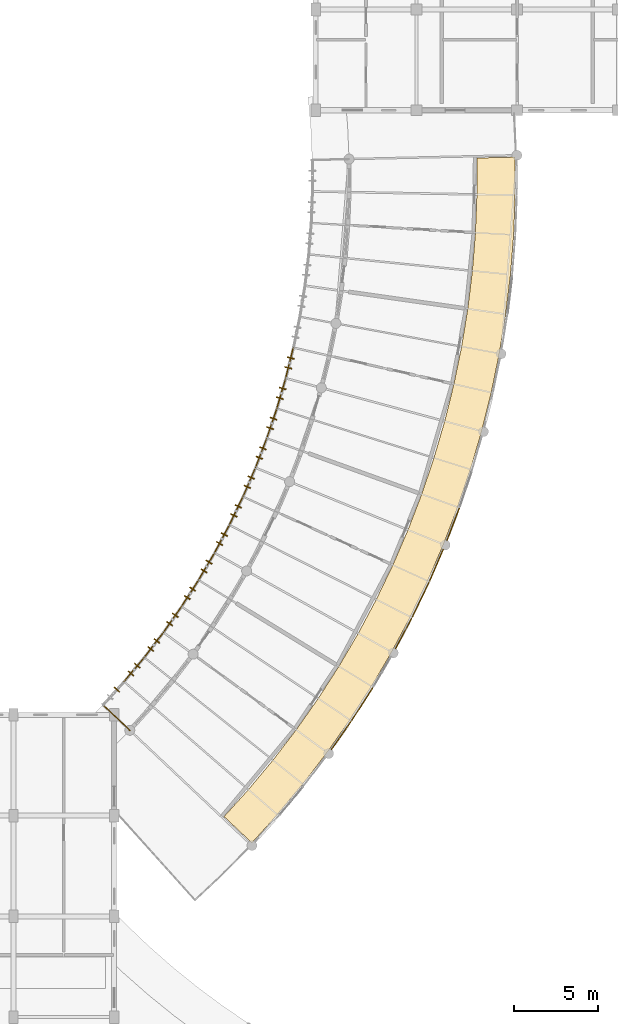
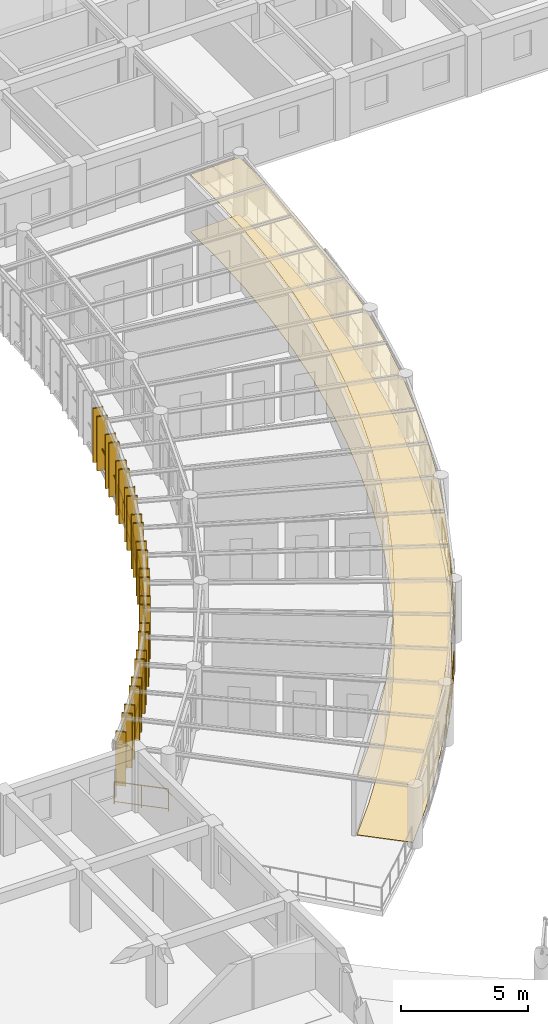
# One storey, part 90 of 100: 25 shading devices, 19 railings, 2 coverings.
"""IFC4 building model written with IfcOpenShell, lengths in metres."""

from ifc_helpers import new_model, si_unit, direction, frame, origin, origin_2d, place, context, subcontext, project, spatial, polyline, rectangle, circle, outline, extrude, material, layer, layer_set, type_object, element, save


model = new_model("IFC4")

# Units and contexts
model_context = context("Model", 3, precision=1e-05, world=origin(), true_north=direction((0.0, 1.0)))
body_context = subcontext(model_context, "Body", "Model", "MODEL_VIEW")
ifc_project = project(units=[si_unit("LENGTHUNIT", "METRE"), si_unit("AREAUNIT", "SQUARE_METRE"), si_unit("VOLUMEUNIT", "CUBIC_METRE"), si_unit("PLANEANGLEUNIT", "RADIAN"), si_unit("MASSUNIT", "GRAM", prefix="KILO"), si_unit("POWERUNIT", "WATT"), si_unit("THERMODYNAMICTEMPERATUREUNIT", "KELVIN")], contexts=[model_context])

# Site, building, storey
site_placement = place(None, origin())
site = spatial("IfcSite", under=ifc_project, at=site_placement, CompositionType="ELEMENT")
building_placement = place(site_placement, origin())
building = spatial("IfcBuilding", under=site, at=building_placement, Name="Ruvembo Vaulted Housing Court", CompositionType="ELEMENT")
storey_placement = place(building_placement, frame((0.0, 0.0, 14.10009765625)))
storey = spatial("IfcBuildingStorey", under=building, at=storey_placement, Name="L04", CompositionType="ELEMENT", Elevation=14.10009765625)

# Coverings
ifc_material_1 = material(Name="Perforated Mineral-Fibre Acoustic Tile", Category="gypsum")
ifc_layer_1 = layer(ifc_material_1, 0.02001953125, Name="Perforated Mineral-Fibre Acoustic Tile")
ifc_layer_set_1 = layer_set([ifc_layer_1], Name="Perforated Mineral-Fibre Acoustic Tile")
covering_type_1 = type_object("IfcCoveringType", Name="COV-CEIL-ACOUST", PredefinedType="CEILING", material=ifc_layer_set_1)
covering_1_placement = place(storey_placement, frame((0.0, 0.0, 2.75)))
element("IfcCovering", 1, at=covering_1_placement, inside=storey, type_object=covering_type_1, Name="Scoop SC1 L04 Shaded Access Gallery Ceiling", PredefinedType="CEILING", context=body_context, shape_type="SweptSolid", body=[
    extrude(outline(polyline([(44.201416015625, 34.37646484375), (45.718994140625, 36.053955078125), (47.23681640625, 37.876708984375), (48.6787109375, 39.76025390625), (50.0419921875, 41.701171875), (51.324951171875, 43.6962890625), (52.52490234375, 45.742431640625), (53.64013671875, 47.8359375), (54.66845703125, 49.973388671875), (55.608642578125, 52.151123046875), (56.45849609375, 54.36572265625), (57.21728515625, 56.613037109375), (57.88330078125, 58.8896484375), (58.455322265625, 61.191650390625), (58.9326171875, 63.51513671875), (59.314208984375, 65.856201171875), (59.599853515625, 68.2109375), (59.78857421875, 70.575439453125), (59.88037109375, 72.94580078125), (59.875244140625, 75.207763671875), (57.595703125, 75.156005859375), (57.600830078125, 72.989501953125), (57.6005859375, 72.985107421875), (57.5126953125, 70.712646484375), (57.512451171875, 70.7080078125), (57.33154296875, 68.441162109375), (57.3310546875, 68.436767578125), (57.057373046875, 66.17919921875), (57.056640625, 66.1748046875), (56.690673828125, 63.930419921875), (56.68994140625, 63.926025390625), (56.232421875, 61.698486328125), (56.231201171875, 61.694091796875), (55.682861328125, 59.487060546875), (55.681640625, 59.482666015625), (55.043212890625, 57.300048828125), (55.041748046875, 57.2958984375), (54.314453125, 55.14111328125), (54.31298828125, 55.136962890625), (53.498046875, 53.013916015625), (53.496337890625, 53.009521484375), (52.59521484375, 50.921875), (52.59326171875, 50.917724609375), (51.607177734375, 48.868408203125), (51.605224609375, 48.864501953125), (50.535888671875, 46.857421875), (50.53369140625, 46.853515625), (49.38330078125, 44.891845703125), (49.381103515625, 44.887939453125), (48.151123046875, 42.97509765625), (48.148681640625, 42.971435546875), (46.841552734375, 41.110595703125), (46.8388671875, 41.10693359375), (45.456298828125, 39.30126953125), (45.45361328125, 39.297607421875), (43.99853515625, 37.550048828125), (43.99560546875, 37.546630859375), (42.54248046875, 35.940185546875), (44.201416015625, 34.37646484375)])), origin(), (0.0, 0.0, 1.0), 0.02001953125),
])
ifc_material_2 = material(Name="Polished Cement-Aggregate Terrazzo", Category="stone")
ifc_layer_2 = layer(ifc_material_2, 0.02197265625, Name="Polished Cement-Aggregate Terrazzo")
ifc_layer_set_2 = layer_set([ifc_layer_2], Name="Polished Cement-Aggregate Terrazzo")
covering_type_2 = type_object("IfcCoveringType", Name="COV-FLR-CERAMIC", PredefinedType="FLOORING", material=ifc_layer_set_2)
covering_2_placement = place(storey_placement, origin())
element("IfcCovering", 2, at=covering_2_placement, inside=storey, type_object=covering_type_2, Name="Scoop SC1 L04 Shaded Access Gallery Flooring", PredefinedType="FLOORING", context=body_context, shape_type="SweptSolid", body=[
    extrude(outline(polyline([(44.201416015625, 34.37646484375), (45.718994140625, 36.053955078125), (47.23681640625, 37.876708984375), (48.6787109375, 39.76025390625), (50.0419921875, 41.701171875), (51.324951171875, 43.6962890625), (52.52490234375, 45.742431640625), (53.64013671875, 47.8359375), (54.66845703125, 49.973388671875), (55.608642578125, 52.151123046875), (56.45849609375, 54.36572265625), (57.21728515625, 56.613037109375), (57.88330078125, 58.8896484375), (58.455322265625, 61.191650390625), (58.9326171875, 63.51513671875), (59.314208984375, 65.856201171875), (59.599853515625, 68.2109375), (59.78857421875, 70.575439453125), (59.88037109375, 72.94580078125), (59.875244140625, 75.207763671875), (57.595703125, 75.156005859375), (57.600830078125, 72.989501953125), (57.6005859375, 72.985107421875), (57.5126953125, 70.712646484375), (57.512451171875, 70.7080078125), (57.33154296875, 68.441162109375), (57.3310546875, 68.436767578125), (57.057373046875, 66.17919921875), (57.056640625, 66.1748046875), (56.690673828125, 63.930419921875), (56.68994140625, 63.926025390625), (56.232421875, 61.698486328125), (56.231201171875, 61.694091796875), (55.682861328125, 59.487060546875), (55.681640625, 59.482666015625), (55.043212890625, 57.300048828125), (55.041748046875, 57.2958984375), (54.314453125, 55.14111328125), (54.31298828125, 55.136962890625), (53.498046875, 53.013916015625), (53.496337890625, 53.009521484375), (52.59521484375, 50.921875), (52.59326171875, 50.917724609375), (51.607177734375, 48.868408203125), (51.605224609375, 48.864501953125), (50.535888671875, 46.857421875), (50.53369140625, 46.853515625), (49.38330078125, 44.891845703125), (49.381103515625, 44.887939453125), (48.151123046875, 42.97509765625), (48.148681640625, 42.971435546875), (46.841552734375, 41.110595703125), (46.8388671875, 41.10693359375), (45.456298828125, 39.30126953125), (45.45361328125, 39.297607421875), (43.99853515625, 37.550048828125), (43.99560546875, 37.546630859375), (42.54248046875, 35.940185546875), (44.201416015625, 34.37646484375)])), origin(), (0.0, 0.0, 1.0), 0.02197265625),
])

# Railings
ifc_material_3 = material(Name="Galvanised Painted Steel and Laminated Glass", Category="steel")
ifc_layer_3 = layer(ifc_material_3, 0.070068359375, Name="Galvanised Painted Steel and Laminated Glass")
ifc_layer_set_3 = layer_set([ifc_layer_3], Name="Galvanised Painted Steel and Laminated Glass")
railing_type_1 = type_object("IfcRailingType", Name="RL-BALUST-1120", PredefinedType="BALUSTRADE", material=ifc_layer_set_3)
railing_1_placement = place(storey_placement, frame((48.939697265625, 39.940673828125, 0.0)))
element("IfcRailing", 3, at=railing_1_placement, inside=storey, type_object=railing_type_1, Name="L04 Perimeter Guard RL-EXT-L04-0147", PredefinedType="BALUSTRADE", context=body_context, shape_type="SweptSolid", body=[
    extrude(circle(Radius=0.02392578125, at=origin_2d()), frame((0.0, 0.0, 1.09619140625), z_axis=(0.574803820442, 0.818291248887, 0.0), x_axis=(-0.818291248887, 0.574803820442, 0.0)), (0.0, 0.0, 1.0), 2.0263671875),
    extrude(circle(Radius=0.01806640625, at=origin_2d()), frame((0.0, 0.0, 0.1201171875), z_axis=(0.574803820442, 0.818291248887, 0.0), x_axis=(-0.818291248887, 0.574803820442, 0.0)), (0.0, 0.0, 1.0), 2.0263671875),
    extrude(circle(Radius=0.02099609375, at=origin_2d()), origin(), (0.0, 0.0, 1.0), 1.072021484375),
    extrude(circle(Radius=0.02099609375, at=origin_2d()), frame((0.58251953125, 0.8291015625, 0.0)), (0.0, 0.0, 1.0), 1.072021484375),
    extrude(circle(Radius=0.02099609375, at=origin_2d()), frame((1.164794921875, 1.658203125, 0.0)), (0.0, 0.0, 1.0), 1.072021484375),
])
railing_2_placement = place(storey_placement, frame((50.160400390625, 41.681884765625, 0.0)))
element("IfcRailing", 4, at=railing_2_placement, inside=storey, type_object=railing_type_1, Name="L04 Perimeter Guard RL-EXT-L04-0148", PredefinedType="BALUSTRADE", context=body_context, shape_type="SweptSolid", body=[
    extrude(circle(Radius=0.02392578125, at=origin_2d()), frame((0.0, 0.0, 1.09619140625), z_axis=(0.540838894016, 0.8411262038, 0.0), x_axis=(-0.8411262038, 0.540838894016, 0.0)), (0.0, 0.0, 1.0), 2.2763671875),
    extrude(circle(Radius=0.01806640625, at=origin_2d()), frame((0.0, 0.0, 0.1201171875), z_axis=(0.540838894016, 0.8411262038, 0.0), x_axis=(-0.8411262038, 0.540838894016, 0.0)), (0.0, 0.0, 1.0), 2.2763671875),
    extrude(circle(Radius=0.02099609375, at=origin_2d()), origin(), (0.0, 0.0, 1.0), 1.072021484375),
    extrude(circle(Radius=0.02099609375, at=origin_2d()), frame((0.61572265625, 0.95751953125, 0.0)), (0.0, 0.0, 1.0), 1.072021484375),
    extrude(circle(Radius=0.02099609375, at=origin_2d()), frame((1.231201171875, 1.914794921875, 0.0)), (0.0, 0.0, 1.0), 1.072021484375),
])
railing_3_placement = place(storey_placement, frame((52.761962890625, 45.95361328125, 0.0)))
element("IfcRailing", 5, at=railing_3_placement, inside=storey, type_object=railing_type_1, Name="L04 Perimeter Guard RL-EXT-L04-0149", PredefinedType="BALUSTRADE", context=body_context, shape_type="SweptSolid", body=[
    extrude(circle(Radius=0.02392578125, at=origin_2d()), frame((0.0, 0.0, 1.09619140625), z_axis=(0.470100420007, 0.882612936178, 0.0), x_axis=(-0.882612936178, 0.470100420007, 0.0)), (0.0, 0.0, 1.0), 2.0263671875),
    extrude(circle(Radius=0.01806640625, at=origin_2d()), frame((0.0, 0.0, 0.1201171875), z_axis=(0.470100420007, 0.882612936178, 0.0), x_axis=(-0.882612936178, 0.470100420007, 0.0)), (0.0, 0.0, 1.0), 2.0263671875),
    extrude(circle(Radius=0.02099609375, at=origin_2d()), origin(), (0.0, 0.0, 1.0), 1.072021484375),
    extrude(circle(Radius=0.02099609375, at=origin_2d()), frame((0.476318359375, 0.894287109375, 0.0)), (0.0, 0.0, 1.0), 1.072021484375),
    extrude(circle(Radius=0.02099609375, at=origin_2d()), frame((0.95263671875, 1.78857421875, 0.0)), (0.0, 0.0, 1.0), 1.072021484375),
])
railing_4_placement = place(storey_placement, frame((53.760009765625, 47.831298828125, 0.0)))
element("IfcRailing", 6, at=railing_4_placement, inside=storey, type_object=railing_type_1, Name="L04 Perimeter Guard RL-EXT-L04-0150", PredefinedType="BALUSTRADE", context=body_context, shape_type="SweptSolid", body=[
    extrude(circle(Radius=0.02392578125, at=origin_2d()), frame((0.0, 0.0, 1.09619140625), z_axis=(0.433477019687, 0.90116462059, 0.0), x_axis=(-0.90116462059, 0.433477019687, 0.0)), (0.0, 0.0, 1.0), 2.276611328125),
    extrude(circle(Radius=0.01806640625, at=origin_2d()), frame((0.0, 0.0, 0.1201171875), z_axis=(0.433477019687, 0.90116462059, 0.0), x_axis=(-0.90116462059, 0.433477019687, 0.0)), (0.0, 0.0, 1.0), 2.276611328125),
    extrude(circle(Radius=0.02099609375, at=origin_2d()), origin(), (0.0, 0.0, 1.0), 1.072021484375),
    extrude(circle(Radius=0.02099609375, at=origin_2d()), frame((0.493408203125, 1.02587890625, 0.0)), (0.0, 0.0, 1.0), 1.072021484375),
    extrude(circle(Radius=0.02099609375, at=origin_2d()), frame((0.98681640625, 2.051513671875, 0.0)), (0.0, 0.0, 1.0), 1.072021484375),
])
railing_5_placement = place(storey_placement, frame((54.788330078125, 49.9736328125, 0.0)))
element("IfcRailing", 7, at=railing_5_placement, inside=storey, type_object=railing_type_1, Name="L04 Perimeter Guard RL-EXT-L04-0151", PredefinedType="BALUSTRADE", context=body_context, shape_type="SweptSolid", body=[
    extrude(circle(Radius=0.02392578125, at=origin_2d()), frame((0.0, 0.0, 1.09619140625), z_axis=(0.396346015974, 0.918101212079, 0.0), x_axis=(-0.918101212079, 0.396346015974, 0.0)), (0.0, 0.0, 1.0), 2.026611328125),
    extrude(circle(Radius=0.01806640625, at=origin_2d()), frame((0.0, 0.0, 0.1201171875), z_axis=(0.396346015974, 0.918101212079, 0.0), x_axis=(-0.918101212079, 0.396346015974, 0.0)), (0.0, 0.0, 1.0), 2.026611328125),
    extrude(circle(Radius=0.02099609375, at=origin_2d()), origin(), (0.0, 0.0, 1.0), 1.072021484375),
    extrude(circle(Radius=0.02099609375, at=origin_2d()), frame((0.401611328125, 0.93017578125, 0.0)), (0.0, 0.0, 1.0), 1.072021484375),
    extrude(circle(Radius=0.02099609375, at=origin_2d()), frame((0.80322265625, 1.860595703125, 0.0)), (0.0, 0.0, 1.0), 1.072021484375),
])
railing_6_placement = place(storey_placement, frame((55.818115234375, 52.389892578125, 0.0)))
element("IfcRailing", 8, at=railing_6_placement, inside=storey, type_object=railing_type_1, Name="L04 Perimeter Guard RL-EXT-L04-0152", PredefinedType="BALUSTRADE", context=body_context, shape_type="SweptSolid", body=[
    extrude(circle(Radius=0.02392578125, at=origin_2d()), frame((0.0, 0.0, 1.09619140625), z_axis=(0.358308891854, 0.933603094478, 0.0), x_axis=(-0.933603094478, 0.358308891854, 0.0)), (0.0, 0.0, 1.0), 2.0263671875),
    extrude(circle(Radius=0.01806640625, at=origin_2d()), frame((0.0, 0.0, 0.1201171875), z_axis=(0.358308891854, 0.933603094478, 0.0), x_axis=(-0.933603094478, 0.358308891854, 0.0)), (0.0, 0.0, 1.0), 2.0263671875),
    extrude(circle(Radius=0.02099609375, at=origin_2d()), origin(), (0.0, 0.0, 1.0), 1.072021484375),
    extrude(circle(Radius=0.02099609375, at=origin_2d()), frame((0.363037109375, 0.94580078125, 0.0)), (0.0, 0.0, 1.0), 1.072021484375),
    extrude(circle(Radius=0.02099609375, at=origin_2d()), frame((0.72607421875, 1.891845703125, 0.0)), (0.0, 0.0, 1.0), 1.072021484375),
])
ifc_material_4 = material(Name="Galvanised Painted Steel S275", Category="steel")
ifc_layer_4 = layer(ifc_material_4, 0.06005859375, Name="Galvanised Painted Steel S275")
ifc_layer_set_4 = layer_set([ifc_layer_4], Name="Galvanised Painted Steel S275")
railing_type_2 = type_object("IfcRailingType", Name="RL-GUARD-1100", PredefinedType="GUARDRAIL", material=ifc_layer_set_4)
railing_7_placement = place(storey_placement, frame((36.9306640625, 41.078125, 0.0)))
element("IfcRailing", 9, at=railing_7_placement, inside=storey, type_object=railing_type_2, Name="L04 Perimeter Guard RL-EXT-L04-0124", PredefinedType="GUARDRAIL", context=body_context, shape_type="SweptSolid", body=[
    extrude(circle(Radius=0.02392578125, at=origin_2d()), frame((0.0, 0.0, 1.076171875), z_axis=(-0.727769798271, 0.685821493338, 0.0), x_axis=(-0.685821493338, -0.727769798271, 0.0)), (0.0, 0.0, 1.0), 2.199951171875),
    extrude(circle(Radius=0.01806640625, at=origin_2d()), frame((0.0, 0.0, 0.1201171875), z_axis=(-0.727769798271, 0.685821493338, 0.0), x_axis=(-0.685821493338, -0.727769798271, 0.0)), (0.0, 0.0, 1.0), 2.199951171875),
    extrude(circle(Radius=0.02099609375, at=origin_2d()), origin(), (0.0, 0.0, 1.0), 1.052001953125),
    extrude(circle(Radius=0.02099609375, at=origin_2d()), frame((-0.800537109375, 0.75439453125, 0.0)), (0.0, 0.0, 1.0), 1.052001953125),
    extrude(circle(Radius=0.02099609375, at=origin_2d()), frame((-1.60107421875, 1.5087890625, 0.0)), (0.0, 0.0, 1.0), 1.052001953125),
])
railing_8_placement = place(storey_placement, frame((36.58837890625, 43.978759765625, 0.0)))
element("IfcRailing", 10, at=railing_8_placement, inside=storey, type_object=railing_type_2, Name="L04 Perimeter Guard RL-EXT-L04-0126", PredefinedType="GUARDRAIL", context=body_context, shape_type="SweptSolid", body=[
    extrude(circle(Radius=0.02392578125, at=origin_2d()), frame((0.0, 0.0, 1.076171875), z_axis=(0.639915648776, 0.76844515904, 0.0), x_axis=(-0.76844515904, 0.639915648776, 0.0)), (0.0, 0.0, 1.0), 1.876708984375),
    extrude(circle(Radius=0.01806640625, at=origin_2d()), frame((0.0, 0.0, 0.1201171875), z_axis=(0.639915648776, 0.76844515904, 0.0), x_axis=(-0.76844515904, 0.639915648776, 0.0)), (0.0, 0.0, 1.0), 1.876708984375),
    extrude(circle(Radius=0.02099609375, at=origin_2d()), origin(), (0.0, 0.0, 1.0), 1.052001953125),
    extrude(circle(Radius=0.02099609375, at=origin_2d()), frame((0.6005859375, 0.72119140625, 0.0)), (0.0, 0.0, 1.0), 1.052001953125),
    extrude(circle(Radius=0.02099609375, at=origin_2d()), frame((1.200927734375, 1.442138671875, 0.0)), (0.0, 0.0, 1.0), 1.052001953125),
])
railing_9_placement = place(storey_placement, frame((37.789306640625, 45.4208984375, 0.0)))
element("IfcRailing", 11, at=railing_9_placement, inside=storey, type_object=railing_type_2, Name="L04 Perimeter Guard RL-EXT-L04-0127", PredefinedType="GUARDRAIL", context=body_context, shape_type="SweptSolid", body=[
    extrude(circle(Radius=0.02392578125, at=origin_2d()), frame((0.0, 0.0, 1.076171875), z_axis=(0.607860517304, 0.794043822155, 0.0), x_axis=(-0.794043822155, 0.607860517304, 0.0)), (0.0, 0.0, 1.0), 1.87646484375),
    extrude(circle(Radius=0.01806640625, at=origin_2d()), frame((0.0, 0.0, 0.1201171875), z_axis=(0.607860517304, 0.794043822155, 0.0), x_axis=(-0.794043822155, 0.607860517304, 0.0)), (0.0, 0.0, 1.0), 1.87646484375),
    extrude(circle(Radius=0.02099609375, at=origin_2d()), origin(), (0.0, 0.0, 1.0), 1.052001953125),
    extrude(circle(Radius=0.02099609375, at=origin_2d()), frame((0.5703125, 0.7451171875, 0.0)), (0.0, 0.0, 1.0), 1.052001953125),
    extrude(circle(Radius=0.02099609375, at=origin_2d()), frame((1.140625, 1.489990234375, 0.0)), (0.0, 0.0, 1.0), 1.052001953125),
])
railing_10_placement = place(storey_placement, frame((38.929931640625, 46.910888671875, 0.0)))
element("IfcRailing", 12, at=railing_10_placement, inside=storey, type_object=railing_type_2, Name="L04 Perimeter Guard RL-EXT-L04-0128", PredefinedType="GUARDRAIL", context=body_context, shape_type="SweptSolid", body=[
    extrude(circle(Radius=0.02392578125, at=origin_2d()), frame((0.0, 0.0, 1.076171875), z_axis=(0.574858427718, 0.81825288761, 0.0), x_axis=(-0.81825288761, 0.574858427718, 0.0)), (0.0, 0.0, 1.0), 1.876708984375),
    extrude(circle(Radius=0.01806640625, at=origin_2d()), frame((0.0, 0.0, 0.1201171875), z_axis=(0.574858427718, 0.81825288761, 0.0), x_axis=(-0.81825288761, 0.574858427718, 0.0)), (0.0, 0.0, 1.0), 1.876708984375),
    extrude(circle(Radius=0.02099609375, at=origin_2d()), origin(), (0.0, 0.0, 1.0), 1.052001953125),
    extrude(circle(Radius=0.02099609375, at=origin_2d()), frame((0.53955078125, 0.767822265625, 0.0)), (0.0, 0.0, 1.0), 1.052001953125),
    extrude(circle(Radius=0.02099609375, at=origin_2d()), frame((1.078857421875, 1.53564453125, 0.0)), (0.0, 0.0, 1.0), 1.052001953125),
])
railing_11_placement = place(storey_placement, frame((40.0087890625, 48.446533203125, 0.0)))
element("IfcRailing", 13, at=railing_11_placement, inside=storey, type_object=railing_type_2, Name="L04 Perimeter Guard RL-EXT-L04-0129", PredefinedType="GUARDRAIL", context=body_context, shape_type="SweptSolid", body=[
    extrude(circle(Radius=0.02392578125, at=origin_2d()), frame((0.0, 0.0, 1.076171875), z_axis=(0.540783890821, 0.841161567969, 0.0), x_axis=(-0.841161567969, 0.540783890821, 0.0)), (0.0, 0.0, 1.0), 1.876708984375),
    extrude(circle(Radius=0.01806640625, at=origin_2d()), frame((0.0, 0.0, 0.1201171875), z_axis=(0.540783890821, 0.841161567969, 0.0), x_axis=(-0.841161567969, 0.540783890821, 0.0)), (0.0, 0.0, 1.0), 1.876708984375),
    extrude(circle(Radius=0.02099609375, at=origin_2d()), origin(), (0.0, 0.0, 1.0), 1.052001953125),
    extrude(circle(Radius=0.02099609375, at=origin_2d()), frame((0.50732421875, 0.789306640625, 0.0)), (0.0, 0.0, 1.0), 1.052001953125),
    extrude(circle(Radius=0.02099609375, at=origin_2d()), frame((1.014892578125, 1.57861328125, 0.0)), (0.0, 0.0, 1.0), 1.052001953125),
])
railing_12_placement = place(storey_placement, frame((41.023681640625, 50.025146484375, 0.0)))
element("IfcRailing", 14, at=railing_12_placement, inside=storey, type_object=railing_type_2, Name="L04 Perimeter Guard RL-EXT-L04-0130", PredefinedType="GUARDRAIL", context=body_context, shape_type="SweptSolid", body=[
    extrude(circle(Radius=0.02392578125, at=origin_2d()), frame((0.0, 0.0, 1.076171875), z_axis=(0.505859733288, 0.862615748893, 0.0), x_axis=(-0.862615748893, 0.505859733288, 0.0)), (0.0, 0.0, 1.0), 1.87646484375),
    extrude(circle(Radius=0.01806640625, at=origin_2d()), frame((0.0, 0.0, 0.1201171875), z_axis=(0.505859733288, 0.862615748893, 0.0), x_axis=(-0.862615748893, 0.505859733288, 0.0)), (0.0, 0.0, 1.0), 1.87646484375),
    extrude(circle(Radius=0.02099609375, at=origin_2d()), origin(), (0.0, 0.0, 1.0), 1.052001953125),
    extrude(circle(Radius=0.02099609375, at=origin_2d()), frame((0.474609375, 0.809326171875, 0.0)), (0.0, 0.0, 1.0), 1.052001953125),
    extrude(circle(Radius=0.02099609375, at=origin_2d()), frame((0.94921875, 1.61865234375, 0.0)), (0.0, 0.0, 1.0), 1.052001953125),
])
railing_13_placement = place(storey_placement, frame((41.972900390625, 51.643798828125, 0.0)))
element("IfcRailing", 15, at=railing_13_placement, inside=storey, type_object=railing_type_2, Name="L04 Perimeter Guard RL-EXT-L04-0131", PredefinedType="GUARDRAIL", context=body_context, shape_type="SweptSolid", body=[
    extrude(circle(Radius=0.02392578125, at=origin_2d()), frame((0.0, 0.0, 1.076171875), z_axis=(0.470115552325, 0.882604876183, 0.0), x_axis=(-0.882604876183, 0.470115552325, 0.0)), (0.0, 0.0, 1.0), 1.876708984375),
    extrude(circle(Radius=0.01806640625, at=origin_2d()), frame((0.0, 0.0, 0.1201171875), z_axis=(0.470115552325, 0.882604876183, 0.0), x_axis=(-0.882604876183, 0.470115552325, 0.0)), (0.0, 0.0, 1.0), 1.876708984375),
    extrude(circle(Radius=0.02099609375, at=origin_2d()), origin(), (0.0, 0.0, 1.0), 1.052001953125),
    extrude(circle(Radius=0.02099609375, at=origin_2d()), frame((0.441162109375, 0.828125, 0.0)), (0.0, 0.0, 1.0), 1.052001953125),
    extrude(circle(Radius=0.02099609375, at=origin_2d()), frame((0.88232421875, 1.656494140625, 0.0)), (0.0, 0.0, 1.0), 1.052001953125),
])
railing_14_placement = place(storey_placement, frame((42.855224609375, 53.30029296875, 0.0)))
element("IfcRailing", 16, at=railing_14_placement, inside=storey, type_object=railing_type_2, Name="L04 Perimeter Guard RL-EXT-L04-0132", PredefinedType="GUARDRAIL", context=body_context, shape_type="SweptSolid", body=[
    extrude(circle(Radius=0.02392578125, at=origin_2d()), frame((0.0, 0.0, 1.076171875), z_axis=(0.433631756601, 0.901090172883, 0.0), x_axis=(-0.901090172883, 0.433631756601, 0.0)), (0.0, 0.0, 1.0), 1.87646484375),
    extrude(circle(Radius=0.01806640625, at=origin_2d()), frame((0.0, 0.0, 0.1201171875), z_axis=(0.433631756601, 0.901090172883, 0.0), x_axis=(-0.901090172883, 0.433631756601, 0.0)), (0.0, 0.0, 1.0), 1.87646484375),
    extrude(circle(Radius=0.02099609375, at=origin_2d()), origin(), (0.0, 0.0, 1.0), 1.052001953125),
    extrude(circle(Radius=0.02099609375, at=origin_2d()), frame((0.40673828125, 0.845458984375, 0.0)), (0.0, 0.0, 1.0), 1.052001953125),
    extrude(circle(Radius=0.02099609375, at=origin_2d()), frame((0.813720703125, 1.69091796875, 0.0)), (0.0, 0.0, 1.0), 1.052001953125),
])
railing_15_placement = place(storey_placement, frame((43.6689453125, 54.9912109375, 0.0)))
element("IfcRailing", 17, at=railing_15_placement, inside=storey, type_object=railing_type_2, Name="L04 Perimeter Guard RL-EXT-L04-0133", PredefinedType="GUARDRAIL", context=body_context, shape_type="SweptSolid", body=[
    extrude(circle(Radius=0.02392578125, at=origin_2d()), frame((0.0, 0.0, 1.076171875), z_axis=(0.396288974503, 0.918125834887, 0.0), x_axis=(-0.918125834887, 0.396288974503, 0.0)), (0.0, 0.0, 1.0), 1.87646484375),
    extrude(circle(Radius=0.01806640625, at=origin_2d()), frame((0.0, 0.0, 0.1201171875), z_axis=(0.396288974503, 0.918125834887, 0.0), x_axis=(-0.918125834887, 0.396288974503, 0.0)), (0.0, 0.0, 1.0), 1.87646484375),
    extrude(circle(Radius=0.02099609375, at=origin_2d()), origin(), (0.0, 0.0, 1.0), 1.052001953125),
    extrude(circle(Radius=0.02099609375, at=origin_2d()), frame((0.371826171875, 0.861328125, 0.0)), (0.0, 0.0, 1.0), 1.052001953125),
    extrude(circle(Radius=0.02099609375, at=origin_2d()), frame((0.74365234375, 1.722900390625, 0.0)), (0.0, 0.0, 1.0), 1.052001953125),
])
railing_16_placement = place(storey_placement, frame((44.41259765625, 56.714111328125, 0.0)))
element("IfcRailing", 18, at=railing_16_placement, inside=storey, type_object=railing_type_2, Name="L04 Perimeter Guard RL-EXT-L04-0134", PredefinedType="GUARDRAIL", context=body_context, shape_type="SweptSolid", body=[
    extrude(circle(Radius=0.02392578125, at=origin_2d()), frame((0.0, 0.0, 1.076171875), z_axis=(0.358368836189, 0.933580086146, 0.0), x_axis=(-0.933580086146, 0.358368836189, 0.0)), (0.0, 0.0, 1.0), 1.876953125),
    extrude(circle(Radius=0.01806640625, at=origin_2d()), frame((0.0, 0.0, 0.1201171875), z_axis=(0.358368836189, 0.933580086146, 0.0), x_axis=(-0.933580086146, 0.358368836189, 0.0)), (0.0, 0.0, 1.0), 1.876953125),
    extrude(circle(Radius=0.02099609375, at=origin_2d()), origin(), (0.0, 0.0, 1.0), 1.052001953125),
    extrude(circle(Radius=0.02099609375, at=origin_2d()), frame((0.33642578125, 0.8759765625, 0.0)), (0.0, 0.0, 1.0), 1.052001953125),
    extrude(circle(Radius=0.02099609375, at=origin_2d()), frame((0.672607421875, 1.752197265625, 0.0)), (0.0, 0.0, 1.0), 1.052001953125),
])
railing_17_placement = place(storey_placement, frame((45.085205078125, 58.46630859375, 0.0)))
element("IfcRailing", 19, at=railing_17_placement, inside=storey, type_object=railing_type_2, Name="L04 Perimeter Guard RL-EXT-L04-0135", PredefinedType="GUARDRAIL", context=body_context, shape_type="SweptSolid", body=[
    extrude(circle(Radius=0.02392578125, at=origin_2d()), frame((0.0, 0.0, 1.076171875), z_axis=(0.319933403304, 0.947440033696, 0.0), x_axis=(-0.947440033696, 0.319933403304, 0.0)), (0.0, 0.0, 1.0), 1.87646484375),
    extrude(circle(Radius=0.01806640625, at=origin_2d()), frame((0.0, 0.0, 0.1201171875), z_axis=(0.319933403304, 0.947440033696, 0.0), x_axis=(-0.947440033696, 0.319933403304, 0.0)), (0.0, 0.0, 1.0), 1.87646484375),
    extrude(circle(Radius=0.02099609375, at=origin_2d()), origin(), (0.0, 0.0, 1.0), 1.052001953125),
    extrude(circle(Radius=0.02099609375, at=origin_2d()), frame((0.30029296875, 0.888916015625, 0.0)), (0.0, 0.0, 1.0), 1.052001953125),
    extrude(circle(Radius=0.02099609375, at=origin_2d()), frame((0.600341796875, 1.77783203125, 0.0)), (0.0, 0.0, 1.0), 1.052001953125),
])
railing_18_placement = place(storey_placement, frame((45.685546875, 60.244140625, 0.0)))
element("IfcRailing", 20, at=railing_18_placement, inside=storey, type_object=railing_type_2, Name="L04 Perimeter Guard RL-EXT-L04-0136", PredefinedType="GUARDRAIL", context=body_context, shape_type="SweptSolid", body=[
    extrude(circle(Radius=0.02392578125, at=origin_2d()), frame((0.0, 0.0, 1.076171875), z_axis=(0.280729242843, 0.959787003565, 0.0), x_axis=(-0.959787003565, 0.280729242843, 0.0)), (0.0, 0.0, 1.0), 1.876708984375),
    extrude(circle(Radius=0.01806640625, at=origin_2d()), frame((0.0, 0.0, 0.1201171875), z_axis=(0.280729242843, 0.959787003565, 0.0), x_axis=(-0.959787003565, 0.280729242843, 0.0)), (0.0, 0.0, 1.0), 1.876708984375),
    extrude(circle(Radius=0.02099609375, at=origin_2d()), origin(), (0.0, 0.0, 1.0), 1.052001953125),
    extrude(circle(Radius=0.02099609375, at=origin_2d()), frame((0.263427734375, 0.900634765625, 0.0)), (0.0, 0.0, 1.0), 1.052001953125),
    extrude(circle(Radius=0.02099609375, at=origin_2d()), frame((0.52685546875, 1.80126953125, 0.0)), (0.0, 0.0, 1.0), 1.052001953125),
])
railing_19_placement = place(storey_placement, frame((46.21240234375, 62.04541015625, 0.0)))
element("IfcRailing", 21, at=railing_19_placement, inside=storey, type_object=railing_type_2, Name="L04 Perimeter Guard RL-EXT-L04-0137", PredefinedType="GUARDRAIL", context=body_context, shape_type="SweptSolid", body=[
    extrude(circle(Radius=0.02392578125, at=origin_2d()), frame((0.0, 0.0, 1.076171875), z_axis=(0.241066038615, 0.970508714555, 0.0), x_axis=(-0.970508714555, 0.241066038615, 0.0)), (0.0, 0.0, 1.0), 1.876708984375),
    extrude(circle(Radius=0.01806640625, at=origin_2d()), frame((0.0, 0.0, 0.1201171875), z_axis=(0.241066038615, 0.970508714555, 0.0), x_axis=(-0.970508714555, 0.241066038615, 0.0)), (0.0, 0.0, 1.0), 1.876708984375),
    extrude(circle(Radius=0.02099609375, at=origin_2d()), origin(), (0.0, 0.0, 1.0), 1.052001953125),
    extrude(circle(Radius=0.02099609375, at=origin_2d()), frame((0.22607421875, 0.91064453125, 0.0)), (0.0, 0.0, 1.0), 1.052001953125),
    extrude(circle(Radius=0.02099609375, at=origin_2d()), frame((0.452392578125, 1.8212890625, 0.0)), (0.0, 0.0, 1.0), 1.052001953125),
])

# Shading devices
ifc_material_5 = material(Name="Kiln-Fired Terracotta Extrusion", Category="masonry")
shading_device_type = type_object("IfcShadingDeviceType", Name="SHD-FIN-420", PredefinedType="USERDEFINED", material=ifc_material_5)
for number, where, z_axis, x_axis, name in (
    (22, (36.160400390625, 43.50537109375, 0.0498046875), (0.0, 0.0, 1.0), (0.741601288413, -0.670840911859, 0.0), "Terracotta Brise-Soleil Fin #116"),
    (23, (36.996826171875, 44.46923828125, 0.0498046875), (0.0, 0.0, 1.0), (0.768495749762, -0.63985489183, 0.0), "Terracotta Brise-Soleil Fin #117"),
    (24, (37.380859375, 44.930419921875, 0.0498046875), (0.0, 0.0, 1.0), (0.768495749762, -0.63985489183, 0.0), "Terracotta Brise-Soleil Fin #118"),
    (25, (38.17724609375, 45.927734375, 0.0498046875), (0.0, 0.0, 1.0), (0.794043447551, -0.607861006646, 0.0), "Terracotta Brise-Soleil Fin #119"),
    (26, (38.5419921875, 46.404296875, 0.0498046875), (0.0, 0.0, 1.0), (0.794043447551, -0.607861006646, 0.0), "Terracotta Brise-Soleil Fin #120"),
    (27, (39.296875, 47.433349609375, 0.0498046875), (0.0, 0.0, 1.0), (0.818280160918, -0.574819604962, 0.0), "Terracotta Brise-Soleil Fin #121"),
    (28, (39.641845703125, 47.92431640625, 0.0498046875), (0.0, 0.0, 1.0), (0.818280160918, -0.574819604962, 0.0), "Terracotta Brise-Soleil Fin #122"),
    (29, (40.35400390625, 48.9833984375, 0.0498046875), (0.0, 0.0, 1.0), (0.841114539051, -0.540857034896, 0.0), "Terracotta Brise-Soleil Fin #123"),
    (30, (40.678466796875, 49.48828125, 0.0498046875), (0.0, 0.0, 1.0), (0.841114539051, -0.540857034896, 0.0), "Terracotta Brise-Soleil Fin #124"),
    (31, (41.3466796875, 50.57568359375, 0.0498046875), (0.0, 0.0, 1.0), (0.862619633753, -0.505853108583, 0.0), "Terracotta Brise-Soleil Fin #125"),
    (32, (41.650146484375, 51.09326171875, 0.0498046875), (0.0, 0.0, 1.0), (0.862619633753, -0.505853108583, 0.0), "Terracotta Brise-Soleil Fin #126"),
    (33, (42.273193359375, 52.207275390625, 0.0498046875), (0.0, 0.0, 1.0), (0.882586804261, -0.470149479362, 0.0), "Terracotta Brise-Soleil Fin #127"),
    (34, (42.55517578125, 52.73681640625, 0.0498046875), (0.0, 0.0, 1.0), (0.882586804261, -0.470149479362, 0.0), "Terracotta Brise-Soleil Fin #128"),
    (35, (43.132080078125, 53.87548828125, 0.0498046875), (0.0, 0.0, 1.0), (0.901099726423, -0.433611903711, 0.0), "Terracotta Brise-Soleil Fin #129"),
    (36, (43.39208984375, 54.416015625, 0.0498046875), (0.0, 0.0, 1.0), (0.901099726423, -0.433611903711, 0.0), "Terracotta Brise-Soleil Fin #130"),
    (37, (43.922119140625, 55.577392578125, 0.0498046875), (0.0, 0.0, 1.0), (0.918121604514, -0.396298775325, 0.0), "Terracotta Brise-Soleil Fin #131"),
    (38, (44.15966796875, 56.128173828125, 0.0498046875), (0.0, 0.0, 1.0), (0.918121604514, -0.396298775325, 0.0), "Terracotta Brise-Soleil Fin #132"),
    (39, (44.6416015625, 57.31005859375, 0.0498046875), (0.0, 0.0, 1.0), (0.933567916527, -0.358400537432, 0.0), "Terracotta Brise-Soleil Fin #133"),
    (40, (44.8564453125, 57.870361328125, 0.0498046875), (0.0, 0.0, 1.0), (0.933567916527, -0.358400537432, 0.0), "Terracotta Brise-Soleil Fin #134"),
    (41, (45.289306640625, 59.071044921875, 0.0498046875), (0.0, 0.0, 1.0), (0.947472959386, -0.319835881714, 0.0), "Terracotta Brise-Soleil Fin #135"),
    (42, (45.4814453125, 59.639404296875, 0.0498046875), (0.0, 0.0, 1.0), (0.947472959386, -0.319835881714, 0.0), "Terracotta Brise-Soleil Fin #136"),
    (43, (45.86474609375, 60.85693359375, 0.0498046875), (0.0, 0.0, 1.0), (0.959790594985, -0.280716963824, 0.0), "Terracotta Brise-Soleil Fin #137"),
    (44, (46.033203125, 61.4326171875, 0.0498046875), (0.0, 0.0, 1.0), (0.959790594985, -0.280716963824, 0.0), "Terracotta Brise-Soleil Fin #138"),
    (45, (46.3662109375, 62.664794921875, 0.0498046875), (0.0, 0.0, 1.0), (0.970481222826, -0.241176690711, 0.0), "Terracotta Brise-Soleil Fin #139"),
    (46, (46.510986328125, 63.2470703125, 0.0498046875), (0.0, 0.0, 1.0), (0.970481222826, -0.241176690711, 0.0), "Terracotta Brise-Soleil Fin #140"),
):
    element("IfcShadingDevice", number, at=place(storey_placement, frame(where, z_axis=z_axis, x_axis=x_axis)), inside=storey, type_object=shading_device_type, Name=name, ObjectType="FIN", PredefinedType="USERDEFINED", context=body_context, shape_type="SweptSolid", body=[
        extrude(rectangle(XDim=0.419921875, YDim=0.06494140625, at=origin_2d()), origin(), (0.0, 0.0, 1.0), 2.60302734375),
    ])

save(model, "model.ifc")
